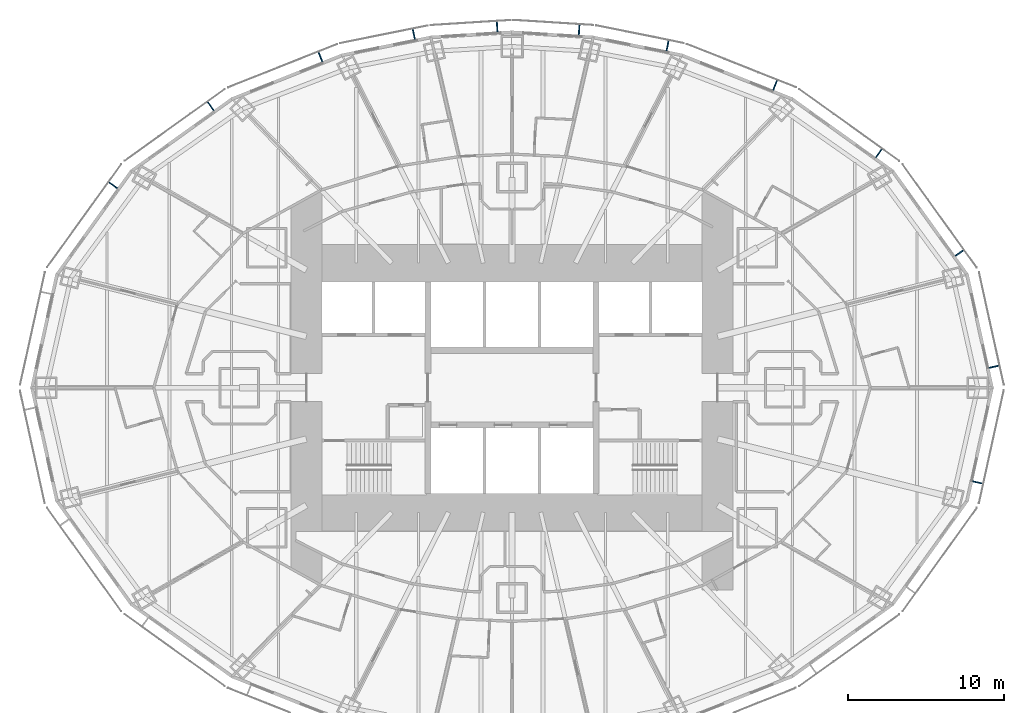
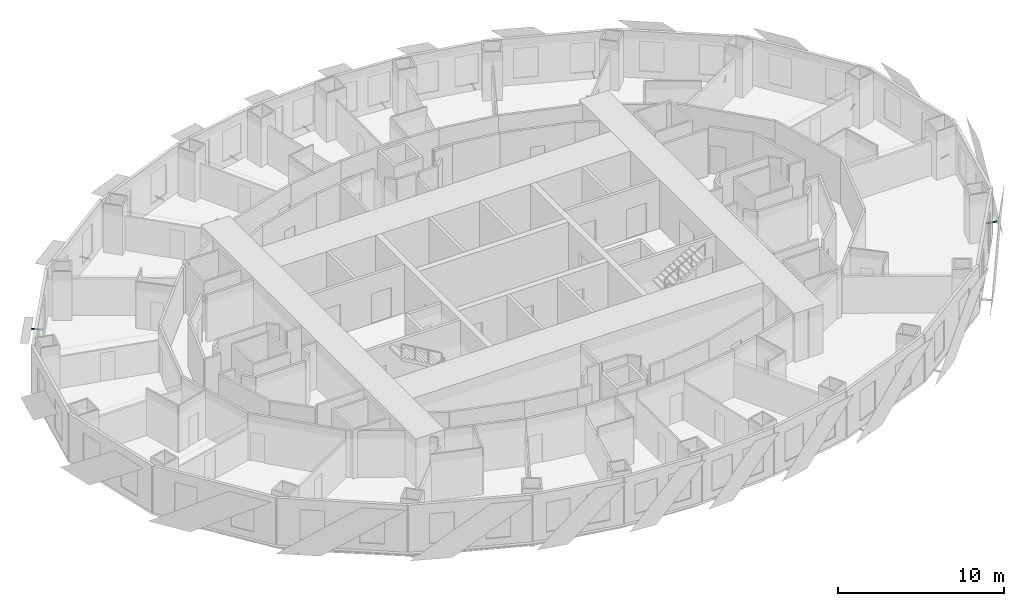
# One storey, part 12 of 15: 12 discrete accessories.
"""IFC4 building model written with IfcOpenShell, lengths in metres."""

from ifc_helpers import new_model, si_unit, direction, frame, origin, origin_2d, place, context, subcontext, project, spatial, rectangle, extrude, element, save


model = new_model("IFC4")

# Units and contexts
model_context = context("Model", 3, precision=1e-05, world=origin(), true_north=direction((0.0, 1.0)))
body_context = subcontext(model_context, "Body", "Model", "MODEL_VIEW")
ifc_project = project(units=[si_unit("LENGTHUNIT", "METRE"), si_unit("AREAUNIT", "SQUARE_METRE"), si_unit("VOLUMEUNIT", "CUBIC_METRE"), si_unit("PLANEANGLEUNIT", "RADIAN"), si_unit("MASSUNIT", "GRAM", prefix="KILO")], contexts=[model_context])

# Site, building, storey
site_placement = place(None, origin())
site = spatial("IfcSite", under=ifc_project, at=site_placement, CompositionType="ELEMENT")
building_placement = place(site_placement, origin())
building = spatial("IfcBuilding", under=site, at=building_placement, Name="Lantaw Convention Tower", CompositionType="ELEMENT")
storey_placement = place(building_placement, frame((0.0, 0.0, 94.60009765625)))
storey = spatial("IfcBuildingStorey", under=building, at=storey_placement, Name="L22", CompositionType="ELEMENT", Elevation=94.60009765625)

# Discrete accessories
for number, where, z_axis, x_axis, name in (
    (1, (30.967529296875, 1.35009765625, -0.115234375), (0.0, 0.0, 1.0), (-0.215246056391, 0.976559847223, 0.0), "Screen bracket"),
    (2, (28.745849609375, 8.65869140625, -0.115234375), (0.0, 0.0, 1.0), (-0.583951250436, 0.811788726895, 0.0), "Screen bracket"),
    (3, (23.564453125, 15.06640625, -0.115234375), (0.0, 0.0, 1.0), (-0.812803733199, 0.5825376308, 0.0), "Screen bracket"),
    (4, (16.898193359375, 19.4345703125, -0.115234375), (0.0, 0.0, 1.0), (-0.929361152748, 0.369171840425, 0.0), "Screen bracket"),
    (5, (9.990478515625, 21.974365234375, -0.115234375), (0.0, 0.0, 1.0), (-0.980244604501, 0.197789067813, 0.0), "Screen bracket"),
    (6, (4.310302734375, 22.987548828125, -0.115234375), (0.0, 0.0, 1.0), (-0.998016153807, 0.062958373078, 0.0), "Screen bracket"),
    (7, (-0.9560546875, 23.19921875, -0.115234375), (0.0, 0.0, 1.0), (-0.998016153807, -0.062958373078, 0.0), "Screen bracket"),
    (8, (-6.307861328125, 22.71728515625, -0.115234375), (0.0, 0.0, 1.0), (-0.980244604501, -0.197789067813, 0.0), "Screen bracket"),
    (9, (-12.309814453125, 21.25732421875, -0.115234375), (0.0, 0.0, 1.0), (-0.929361152748, -0.369171840425, 0.0), "Screen bracket"),
    (10, (-19.352294921875, 18.085205078125, -0.115234375), (0.0, 0.0, 1.0), (-0.812803733199, -0.5825376308, 0.0), "Screen bracket"),
    (11, (-25.61962890625, 13.004638671875, -0.115234375), (0.0, 0.0, 1.0), (-0.583951250436, -0.811788726895, 0.0), "Screen bracket"),
    (12, (29.92333984375, -6.087890625, -0.115234375), (0.0, 0.0, 1.0), (0.215246056391, 0.976559847223, 0.0), "Screen bracket"),
):
    element("IfcDiscreteAccessory", number, at=place(storey_placement, frame(where, z_axis=z_axis, x_axis=x_axis)), inside=storey, Name=name, PredefinedType="BRACKET", context=body_context, shape_type="SweptSolid", body=[
        extrude(rectangle(XDim=0.080078125, YDim=0.68798828125, at=origin_2d()), origin(), (0.0, 0.0, 1.0), 0.080078125),
    ])

save(model, "model.ifc")
